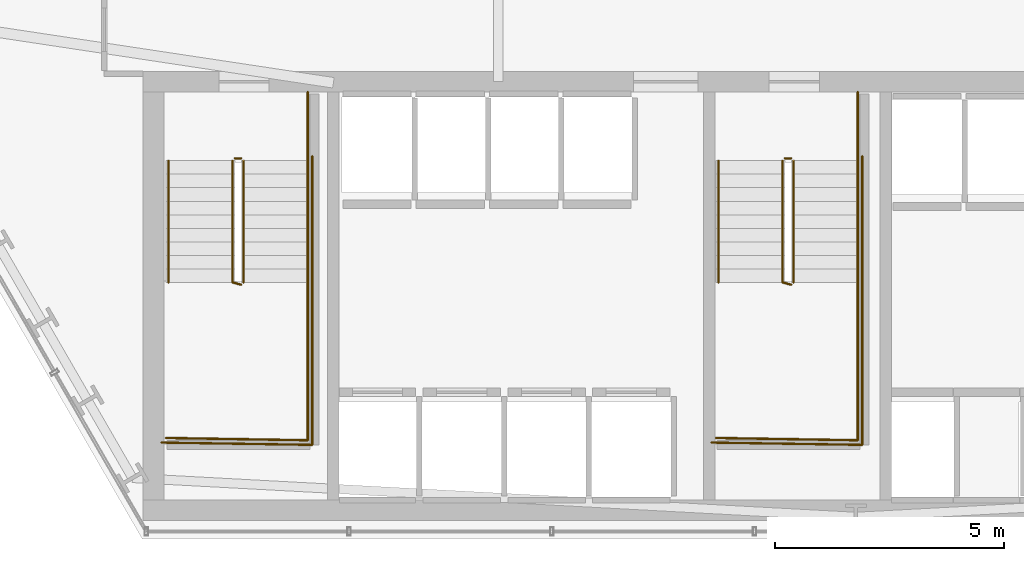
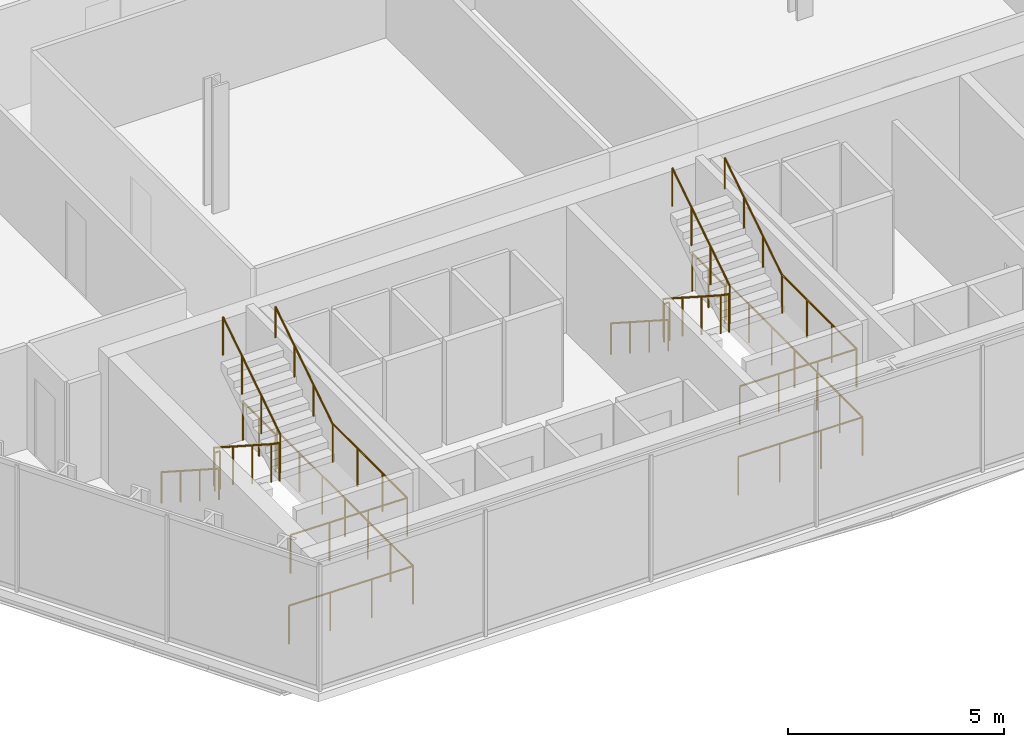
# One storey, part 30 of 32: 16 railings.
"""IFC4 building model written with IfcOpenShell, lengths in metres."""

from ifc_helpers import new_model, si_unit, direction, frame, origin, origin_2d, place, context, subcontext, project, spatial, circle, extrude, material, layer, layer_set, type_object, element, save


model = new_model("IFC4")

# Units and contexts
model_context = context("Model", 3, precision=1e-05, world=origin(), true_north=direction((0.0, 1.0)))
body_context = subcontext(model_context, "Body", "Model", "MODEL_VIEW")
ifc_project = project(units=[si_unit("LENGTHUNIT", "METRE"), si_unit("AREAUNIT", "SQUARE_METRE"), si_unit("VOLUMEUNIT", "CUBIC_METRE"), si_unit("PLANEANGLEUNIT", "RADIAN"), si_unit("MASSUNIT", "GRAM", prefix="KILO")], contexts=[model_context])

# Site, building, storey
site_placement = place(None, origin())
site = spatial("IfcSite", under=ifc_project, at=site_placement, CompositionType="ELEMENT")
building_placement = place(site_placement, origin())
building = spatial("IfcBuilding", under=site, at=building_placement, Name="Ndaravel Arena Tower", CompositionType="ELEMENT")
storey_placement = place(building_placement, frame((0.0, 0.0, 51.199951171875)))
storey = spatial("IfcBuildingStorey", under=building, at=storey_placement, Name="L10", CompositionType="ELEMENT", Elevation=51.199951171875)

# Railings
ifc_material_1 = material(Name="Steel S355", Category="steel")
ifc_layer_1 = layer(ifc_material_1, 0.06005859375)
ifc_layer_set_1 = layer_set([ifc_layer_1], Name="Steel S355")
railing_type_1 = type_object("IfcRailingType", Name="RAIL-STAIR-GD1100", PredefinedType="GUARDRAIL", material=ifc_layer_set_1)
railing_1_placement = place(storey_placement, frame((28.39990234375, 13.25, 0.18994140625)))
element("IfcRailing", 1, at=railing_1_placement, inside=storey, type_object=railing_type_1, Name="L10 ST-1 stair guard 1", PredefinedType="GUARDRAIL", context=body_context, shape_type="SweptSolid", body=[
    extrude(circle(Radius=0.02392578125, at=origin_2d()), frame((0.0, 0.0, 1.076171875), z_axis=(0.0, -0.840688348013, 0.541519253134), x_axis=(1.0, 0.0, 0.0)), (0.0, 0.0, 1.0), 3.158203125),
    extrude(circle(Radius=0.02392578125, at=origin_2d()), frame((0.0, -2.655029296875, 2.7861328125), z_axis=(0.967074537263, -0.25449329928, 0.0), x_axis=(0.25449329928, 0.967074537263, 0.0)), (0.0, 0.0, 1.0), 0.19677734375),
    extrude(circle(Radius=0.02099609375, at=origin_2d()), origin(), (0.0, 0.0, 1.0), 1.052001953125),
    extrude(circle(Radius=0.02099609375, at=origin_2d()), frame((0.0, -0.885009765625, 0.570068359375)), (0.0, 0.0, 1.0), 1.052001953125),
    extrude(circle(Radius=0.02099609375, at=origin_2d()), frame((0.0, -1.77001953125, 1.14013671875)), (0.0, 0.0, 1.0), 1.052001953125),
    extrude(circle(Radius=0.02099609375, at=origin_2d()), frame((0.0, -2.655029296875, 1.710205078125)), (0.0, 0.0, 1.0), 1.052001953125),
    extrude(circle(Radius=0.02099609375, at=origin_2d()), frame((0.190185546875, -2.705078125, 1.710205078125)), (0.0, 0.0, 1.0), 1.052001953125),
])
railing_2_placement = place(storey_placement, frame((30.0400390625, 10.594970703125, 1.900146484375)))
element("IfcRailing", 2, at=railing_2_placement, inside=storey, type_object=railing_type_1, Name="L10 ST-1 stair guard 2", PredefinedType="GUARDRAIL", context=body_context, shape_type="SweptSolid", body=[
    extrude(circle(Radius=0.02392578125, at=origin_2d()), frame((0.0, 0.0, 1.076171875), z_axis=(0.0, -1.0, 0.0), x_axis=(1.0, 0.0, 0.0)), (0.0, 0.0, 1.0), 3.445068359375),
    extrude(circle(Radius=0.02392578125, at=origin_2d()), frame((0.0, -3.445068359375, 1.076171875), z_axis=(-0.999868861343, 0.016194447071, 0.0), x_axis=(-0.016194447071, -0.999868861343, 0.0)), (0.0, 0.0, 1.0), 3.090576171875),
    extrude(circle(Radius=0.02099609375, at=origin_2d()), origin(), (0.0, 0.0, 1.0), 1.052001953125),
    extrude(circle(Radius=0.02099609375, at=origin_2d()), frame((0.0, -1.1484375, 0.0)), (0.0, 0.0, 1.0), 1.052001953125),
    extrude(circle(Radius=0.02099609375, at=origin_2d()), frame((0.0, -2.296630859375, 0.0)), (0.0, 0.0, 1.0), 1.052001953125),
    extrude(circle(Radius=0.02099609375, at=origin_2d()), frame((0.0, -3.445068359375, 0.0)), (0.0, 0.0, 1.0), 1.052001953125),
    extrude(circle(Radius=0.02099609375, at=origin_2d()), frame((-1.030029296875, -3.428466796875, 0.0)), (0.0, 0.0, 1.0), 1.052001953125),
    extrude(circle(Radius=0.02099609375, at=origin_2d()), frame((-2.06005859375, -3.41162109375, 0.0)), (0.0, 0.0, 1.0), 1.052001953125),
    extrude(circle(Radius=0.02099609375, at=origin_2d()), frame((-3.090087890625, -3.39501953125, 0.0)), (0.0, 0.0, 1.0), 1.052001953125),
])
railing_3_placement = place(storey_placement, frame((28.639892578125, 10.594970703125, 2.090087890625)))
element("IfcRailing", 3, at=railing_3_placement, inside=storey, type_object=railing_type_1, Name="L10 ST-1 stair guard 3", PredefinedType="GUARDRAIL", context=body_context, shape_type="SweptSolid", body=[
    extrude(circle(Radius=0.02392578125, at=origin_2d()), frame((0.0, 0.0, 1.076171875), z_axis=(0.0, 0.840723540582, 0.54146461409), x_axis=(-1.0, 0.0, 0.0)), (0.0, 0.0, 1.0), 3.157958984375),
    extrude(circle(Radius=0.02099609375, at=origin_2d()), origin(), (0.0, 0.0, 1.0), 1.052001953125),
    extrude(circle(Radius=0.02099609375, at=origin_2d()), frame((0.0, 0.885009765625, 0.570068359375)), (0.0, 0.0, 1.0), 1.052001953125),
    extrude(circle(Radius=0.02099609375, at=origin_2d()), frame((0.0, 1.77001953125, 1.139892578125)), (0.0, 0.0, 1.0), 1.052001953125),
    extrude(circle(Radius=0.02099609375, at=origin_2d()), frame((0.0, 2.655029296875, 1.7099609375)), (0.0, 0.0, 1.0), 1.052001953125),
])
railing_4_placement = place(storey_placement, frame((28.449951171875, 13.300048828125, 0.0)))
element("IfcRailing", 4, at=railing_4_placement, inside=storey, type_object=railing_type_1, Name="L10 ST-1 stair guard 4", PredefinedType="GUARDRAIL", context=body_context, shape_type="SweptSolid", body=[
    extrude(circle(Radius=0.02392578125, at=origin_2d()), frame((0.0, 0.0, 1.076171875), z_axis=(1.0, 0.0, 0.0), x_axis=(0.0, 1.0, 0.0)), (0.0, 0.0, 1.0), 0.14013671875),
    extrude(circle(Radius=0.02099609375, at=origin_2d()), origin(), (0.0, 0.0, 1.0), 1.052001953125),
    extrude(circle(Radius=0.02099609375, at=origin_2d()), frame((0.14013671875, 0.0, 0.0)), (0.0, 0.0, 1.0), 1.052001953125),
])
railing_5_placement = place(storey_placement, frame((30.0400390625, 14.75, 0.0)))
element("IfcRailing", 5, at=railing_5_placement, inside=storey, type_object=railing_type_1, Name="L10 ST-1 stair guard 5", PredefinedType="GUARDRAIL", context=body_context, shape_type="SweptSolid", body=[
    extrude(circle(Radius=0.02392578125, at=origin_2d()), frame((0.0, 0.0, 1.076171875), z_axis=(0.0, -1.0, 0.0), x_axis=(1.0, 0.0, 0.0)), (0.0, 0.0, 1.0), 1.5),
    extrude(circle(Radius=0.02099609375, at=origin_2d()), origin(), (0.0, 0.0, 1.0), 1.052001953125),
    extrude(circle(Radius=0.02099609375, at=origin_2d()), frame((0.0, -0.75, 0.0)), (0.0, 0.0, 1.0), 1.052001953125),
    extrude(circle(Radius=0.02099609375, at=origin_2d()), frame((0.0, -1.5, 0.0)), (0.0, 0.0, 1.0), 1.052001953125),
])
railing_6_placement = place(storey_placement, frame((30.139892578125, 13.35009765625, 0.0)))
element("IfcRailing", 6, at=railing_6_placement, inside=storey, type_object=railing_type_1, Name="L10 ST-1 stair guard 6", PredefinedType="GUARDRAIL", context=body_context, shape_type="SweptSolid", body=[
    extrude(circle(Radius=0.02392578125, at=origin_2d()), frame((0.0, 0.0, 1.076171875), z_axis=(0.0, -1.0, 0.0), x_axis=(1.0, 0.0, 0.0)), (0.0, 0.0, 1.0), 6.300048828125),
    extrude(circle(Radius=0.02392578125, at=origin_2d()), frame((0.0, -6.300048828125, 1.076171875), z_axis=(-0.999884296952, 0.015211597839, 0.0), x_axis=(-0.015211597839, -0.999884296952, 0.0)), (0.0, 0.0, 1.0), 3.290283203125),
    extrude(circle(Radius=0.02099609375, at=origin_2d()), origin(), (0.0, 0.0, 1.0), 1.052001953125),
    extrude(circle(Radius=0.02099609375, at=origin_2d()), frame((0.0, -1.050048828125, 0.0)), (0.0, 0.0, 1.0), 1.052001953125),
    extrude(circle(Radius=0.02099609375, at=origin_2d()), frame((0.0, -2.10009765625, 0.0)), (0.0, 0.0, 1.0), 1.052001953125),
    extrude(circle(Radius=0.02099609375, at=origin_2d()), frame((0.0, -3.14990234375, 0.0)), (0.0, 0.0, 1.0), 1.052001953125),
    extrude(circle(Radius=0.02099609375, at=origin_2d()), frame((0.0, -4.199951171875, 0.0)), (0.0, 0.0, 1.0), 1.052001953125),
    extrude(circle(Radius=0.02099609375, at=origin_2d()), frame((0.0, -5.25, 0.0)), (0.0, 0.0, 1.0), 1.052001953125),
    extrude(circle(Radius=0.02099609375, at=origin_2d()), frame((0.0, -6.300048828125, 0.0)), (0.0, 0.0, 1.0), 1.052001953125),
    extrude(circle(Radius=0.02099609375, at=origin_2d()), frame((-1.0966796875, -6.283447265625, 0.0)), (0.0, 0.0, 1.0), 1.052001953125),
    extrude(circle(Radius=0.02099609375, at=origin_2d()), frame((-2.193115234375, -6.2666015625, 0.0)), (0.0, 0.0, 1.0), 1.052001953125),
    extrude(circle(Radius=0.02099609375, at=origin_2d()), frame((-3.289794921875, -6.25, 0.0)), (0.0, 0.0, 1.0), 1.052001953125),
])
railing_7_placement = place(storey_placement, frame((40.39990234375, 13.25, 0.18994140625)))
element("IfcRailing", 7, at=railing_7_placement, inside=storey, type_object=railing_type_1, Name="L10 ST-2 stair guard 1", PredefinedType="GUARDRAIL", context=body_context, shape_type="SweptSolid", body=[
    extrude(circle(Radius=0.02392578125, at=origin_2d()), frame((0.0, 0.0, 1.076171875), z_axis=(0.0, -0.840688348013, 0.541519253134), x_axis=(1.0, 0.0, 0.0)), (0.0, 0.0, 1.0), 3.158203125),
    extrude(circle(Radius=0.02392578125, at=origin_2d()), frame((0.0, -2.655029296875, 2.7861328125), z_axis=(0.967074537263, -0.25449329928, 0.0), x_axis=(0.25449329928, 0.967074537263, 0.0)), (0.0, 0.0, 1.0), 0.19677734375),
    extrude(circle(Radius=0.02099609375, at=origin_2d()), origin(), (0.0, 0.0, 1.0), 1.052001953125),
    extrude(circle(Radius=0.02099609375, at=origin_2d()), frame((0.0, -0.885009765625, 0.570068359375)), (0.0, 0.0, 1.0), 1.052001953125),
    extrude(circle(Radius=0.02099609375, at=origin_2d()), frame((0.0, -1.77001953125, 1.14013671875)), (0.0, 0.0, 1.0), 1.052001953125),
    extrude(circle(Radius=0.02099609375, at=origin_2d()), frame((0.0, -2.655029296875, 1.710205078125)), (0.0, 0.0, 1.0), 1.052001953125),
    extrude(circle(Radius=0.02099609375, at=origin_2d()), frame((0.190185546875, -2.705078125, 1.710205078125)), (0.0, 0.0, 1.0), 1.052001953125),
])
railing_8_placement = place(storey_placement, frame((42.0400390625, 10.594970703125, 1.900146484375)))
element("IfcRailing", 8, at=railing_8_placement, inside=storey, type_object=railing_type_1, Name="L10 ST-2 stair guard 2", PredefinedType="GUARDRAIL", context=body_context, shape_type="SweptSolid", body=[
    extrude(circle(Radius=0.02392578125, at=origin_2d()), frame((0.0, 0.0, 1.076171875), z_axis=(0.0, -1.0, 0.0), x_axis=(1.0, 0.0, 0.0)), (0.0, 0.0, 1.0), 3.445068359375),
    extrude(circle(Radius=0.02392578125, at=origin_2d()), frame((0.0, -3.445068359375, 1.076171875), z_axis=(-0.999868861343, 0.016194447071, 0.0), x_axis=(-0.016194447071, -0.999868861343, 0.0)), (0.0, 0.0, 1.0), 3.090576171875),
    extrude(circle(Radius=0.02099609375, at=origin_2d()), origin(), (0.0, 0.0, 1.0), 1.052001953125),
    extrude(circle(Radius=0.02099609375, at=origin_2d()), frame((0.0, -1.1484375, 0.0)), (0.0, 0.0, 1.0), 1.052001953125),
    extrude(circle(Radius=0.02099609375, at=origin_2d()), frame((0.0, -2.296630859375, 0.0)), (0.0, 0.0, 1.0), 1.052001953125),
    extrude(circle(Radius=0.02099609375, at=origin_2d()), frame((0.0, -3.445068359375, 0.0)), (0.0, 0.0, 1.0), 1.052001953125),
    extrude(circle(Radius=0.02099609375, at=origin_2d()), frame((-1.030029296875, -3.428466796875, 0.0)), (0.0, 0.0, 1.0), 1.052001953125),
    extrude(circle(Radius=0.02099609375, at=origin_2d()), frame((-2.06005859375, -3.41162109375, 0.0)), (0.0, 0.0, 1.0), 1.052001953125),
    extrude(circle(Radius=0.02099609375, at=origin_2d()), frame((-3.090087890625, -3.39501953125, 0.0)), (0.0, 0.0, 1.0), 1.052001953125),
])
railing_9_placement = place(storey_placement, frame((40.639892578125, 10.594970703125, 2.090087890625)))
element("IfcRailing", 9, at=railing_9_placement, inside=storey, type_object=railing_type_1, Name="L10 ST-2 stair guard 3", PredefinedType="GUARDRAIL", context=body_context, shape_type="SweptSolid", body=[
    extrude(circle(Radius=0.02392578125, at=origin_2d()), frame((0.0, 0.0, 1.076171875), z_axis=(0.0, 0.840723540582, 0.54146461409), x_axis=(-1.0, 0.0, 0.0)), (0.0, 0.0, 1.0), 3.157958984375),
    extrude(circle(Radius=0.02099609375, at=origin_2d()), origin(), (0.0, 0.0, 1.0), 1.052001953125),
    extrude(circle(Radius=0.02099609375, at=origin_2d()), frame((0.0, 0.885009765625, 0.570068359375)), (0.0, 0.0, 1.0), 1.052001953125),
    extrude(circle(Radius=0.02099609375, at=origin_2d()), frame((0.0, 1.77001953125, 1.139892578125)), (0.0, 0.0, 1.0), 1.052001953125),
    extrude(circle(Radius=0.02099609375, at=origin_2d()), frame((0.0, 2.655029296875, 1.7099609375)), (0.0, 0.0, 1.0), 1.052001953125),
])
railing_10_placement = place(storey_placement, frame((40.449951171875, 13.300048828125, 0.0)))
element("IfcRailing", 10, at=railing_10_placement, inside=storey, type_object=railing_type_1, Name="L10 ST-2 stair guard 4", PredefinedType="GUARDRAIL", context=body_context, shape_type="SweptSolid", body=[
    extrude(circle(Radius=0.02392578125, at=origin_2d()), frame((0.0, 0.0, 1.076171875), z_axis=(1.0, 0.0, 0.0), x_axis=(0.0, 1.0, 0.0)), (0.0, 0.0, 1.0), 0.14013671875),
    extrude(circle(Radius=0.02099609375, at=origin_2d()), origin(), (0.0, 0.0, 1.0), 1.052001953125),
    extrude(circle(Radius=0.02099609375, at=origin_2d()), frame((0.14013671875, 0.0, 0.0)), (0.0, 0.0, 1.0), 1.052001953125),
])
railing_11_placement = place(storey_placement, frame((42.0400390625, 14.75, 0.0)))
element("IfcRailing", 11, at=railing_11_placement, inside=storey, type_object=railing_type_1, Name="L10 ST-2 stair guard 5", PredefinedType="GUARDRAIL", context=body_context, shape_type="SweptSolid", body=[
    extrude(circle(Radius=0.02392578125, at=origin_2d()), frame((0.0, 0.0, 1.076171875), z_axis=(0.0, -1.0, 0.0), x_axis=(1.0, 0.0, 0.0)), (0.0, 0.0, 1.0), 1.5),
    extrude(circle(Radius=0.02099609375, at=origin_2d()), origin(), (0.0, 0.0, 1.0), 1.052001953125),
    extrude(circle(Radius=0.02099609375, at=origin_2d()), frame((0.0, -0.75, 0.0)), (0.0, 0.0, 1.0), 1.052001953125),
    extrude(circle(Radius=0.02099609375, at=origin_2d()), frame((0.0, -1.5, 0.0)), (0.0, 0.0, 1.0), 1.052001953125),
])
railing_12_placement = place(storey_placement, frame((42.139892578125, 13.35009765625, 0.0)))
element("IfcRailing", 12, at=railing_12_placement, inside=storey, type_object=railing_type_1, Name="L10 ST-2 stair guard 6", PredefinedType="GUARDRAIL", context=body_context, shape_type="SweptSolid", body=[
    extrude(circle(Radius=0.02392578125, at=origin_2d()), frame((0.0, 0.0, 1.076171875), z_axis=(0.0, -1.0, 0.0), x_axis=(1.0, 0.0, 0.0)), (0.0, 0.0, 1.0), 6.300048828125),
    extrude(circle(Radius=0.02392578125, at=origin_2d()), frame((0.0, -6.300048828125, 1.076171875), z_axis=(-0.999884296952, 0.015211597839, 0.0), x_axis=(-0.015211597839, -0.999884296952, 0.0)), (0.0, 0.0, 1.0), 3.290283203125),
    extrude(circle(Radius=0.02099609375, at=origin_2d()), origin(), (0.0, 0.0, 1.0), 1.052001953125),
    extrude(circle(Radius=0.02099609375, at=origin_2d()), frame((0.0, -1.050048828125, 0.0)), (0.0, 0.0, 1.0), 1.052001953125),
    extrude(circle(Radius=0.02099609375, at=origin_2d()), frame((0.0, -2.10009765625, 0.0)), (0.0, 0.0, 1.0), 1.052001953125),
    extrude(circle(Radius=0.02099609375, at=origin_2d()), frame((0.0, -3.14990234375, 0.0)), (0.0, 0.0, 1.0), 1.052001953125),
    extrude(circle(Radius=0.02099609375, at=origin_2d()), frame((0.0, -4.199951171875, 0.0)), (0.0, 0.0, 1.0), 1.052001953125),
    extrude(circle(Radius=0.02099609375, at=origin_2d()), frame((0.0, -5.25, 0.0)), (0.0, 0.0, 1.0), 1.052001953125),
    extrude(circle(Radius=0.02099609375, at=origin_2d()), frame((0.0, -6.300048828125, 0.0)), (0.0, 0.0, 1.0), 1.052001953125),
    extrude(circle(Radius=0.02099609375, at=origin_2d()), frame((-1.0966796875, -6.283447265625, 0.0)), (0.0, 0.0, 1.0), 1.052001953125),
    extrude(circle(Radius=0.02099609375, at=origin_2d()), frame((-2.193115234375, -6.2666015625, 0.0)), (0.0, 0.0, 1.0), 1.052001953125),
    extrude(circle(Radius=0.02099609375, at=origin_2d()), frame((-3.289794921875, -6.25, 0.0)), (0.0, 0.0, 1.0), 1.052001953125),
])
ifc_material_2 = material(Name="Steel S355", Category="steel")
ifc_layer_2 = layer(ifc_material_2, 0.050048828125)
ifc_layer_set_2 = layer_set([ifc_layer_2], Name="Steel S355")
railing_type_2 = type_object("IfcRailingType", Name="RAIL-STAIR-HR920", PredefinedType="HANDRAIL", material=ifc_layer_set_2)
railing_13_placement = place(storey_placement, frame((27.0, 13.25, 0.18994140625)))
element("IfcRailing", 13, at=railing_13_placement, inside=storey, type_object=railing_type_2, Name="L10 ST-1 stair handrail 1", PredefinedType="HANDRAIL", context=body_context, shape_type="SweptSolid", body=[
    extrude(circle(Radius=0.02392578125, at=origin_2d()), frame((0.0, 0.0, 0.8759765625), z_axis=(0.0, -0.840688348013, 0.541519253134), x_axis=(1.0, 0.0, 0.0)), (0.0, 0.0, 1.0), 3.158203125),
    extrude(circle(Radius=0.02099609375, at=origin_2d()), origin(), (0.0, 0.0, 1.0), 0.851806640625),
    extrude(circle(Radius=0.02099609375, at=origin_2d()), frame((0.0, -0.885009765625, 0.570068359375)), (0.0, 0.0, 1.0), 0.851806640625),
    extrude(circle(Radius=0.02099609375, at=origin_2d()), frame((0.0, -1.77001953125, 1.14013671875)), (0.0, 0.0, 1.0), 0.851806640625),
    extrude(circle(Radius=0.02099609375, at=origin_2d()), frame((0.0, -2.655029296875, 1.710205078125)), (0.0, 0.0, 1.0), 0.851806640625),
])
railing_14_placement = place(storey_placement, frame((30.0400390625, 10.594970703125, 2.090087890625)))
element("IfcRailing", 14, at=railing_14_placement, inside=storey, type_object=railing_type_2, Name="L10 ST-1 stair handrail 2", PredefinedType="HANDRAIL", context=body_context, shape_type="SweptSolid", body=[
    extrude(circle(Radius=0.02392578125, at=origin_2d()), frame((0.0, 0.0, 0.8759765625), z_axis=(0.0, 0.840723540582, 0.54146461409), x_axis=(-1.0, 0.0, 0.0)), (0.0, 0.0, 1.0), 3.157958984375),
    extrude(circle(Radius=0.02099609375, at=origin_2d()), origin(), (0.0, 0.0, 1.0), 0.851806640625),
    extrude(circle(Radius=0.02099609375, at=origin_2d()), frame((0.0, 0.885009765625, 0.570068359375)), (0.0, 0.0, 1.0), 0.851806640625),
    extrude(circle(Radius=0.02099609375, at=origin_2d()), frame((0.0, 1.77001953125, 1.139892578125)), (0.0, 0.0, 1.0), 0.851806640625),
    extrude(circle(Radius=0.02099609375, at=origin_2d()), frame((0.0, 2.655029296875, 1.7099609375)), (0.0, 0.0, 1.0), 0.851806640625),
])
railing_15_placement = place(storey_placement, frame((39.0, 13.25, 0.18994140625)))
element("IfcRailing", 15, at=railing_15_placement, inside=storey, type_object=railing_type_2, Name="L10 ST-2 stair handrail 1", PredefinedType="HANDRAIL", context=body_context, shape_type="SweptSolid", body=[
    extrude(circle(Radius=0.02392578125, at=origin_2d()), frame((0.0, 0.0, 0.8759765625), z_axis=(0.0, -0.840688348013, 0.541519253134), x_axis=(1.0, 0.0, 0.0)), (0.0, 0.0, 1.0), 3.158203125),
    extrude(circle(Radius=0.02099609375, at=origin_2d()), origin(), (0.0, 0.0, 1.0), 0.851806640625),
    extrude(circle(Radius=0.02099609375, at=origin_2d()), frame((0.0, -0.885009765625, 0.570068359375)), (0.0, 0.0, 1.0), 0.851806640625),
    extrude(circle(Radius=0.02099609375, at=origin_2d()), frame((0.0, -1.77001953125, 1.14013671875)), (0.0, 0.0, 1.0), 0.851806640625),
    extrude(circle(Radius=0.02099609375, at=origin_2d()), frame((0.0, -2.655029296875, 1.710205078125)), (0.0, 0.0, 1.0), 0.851806640625),
])
railing_16_placement = place(storey_placement, frame((42.0400390625, 10.594970703125, 2.090087890625)))
element("IfcRailing", 16, at=railing_16_placement, inside=storey, type_object=railing_type_2, Name="L10 ST-2 stair handrail 2", PredefinedType="HANDRAIL", context=body_context, shape_type="SweptSolid", body=[
    extrude(circle(Radius=0.02392578125, at=origin_2d()), frame((0.0, 0.0, 0.8759765625), z_axis=(0.0, 0.840723540582, 0.54146461409), x_axis=(-1.0, 0.0, 0.0)), (0.0, 0.0, 1.0), 3.157958984375),
    extrude(circle(Radius=0.02099609375, at=origin_2d()), origin(), (0.0, 0.0, 1.0), 0.851806640625),
    extrude(circle(Radius=0.02099609375, at=origin_2d()), frame((0.0, 0.885009765625, 0.570068359375)), (0.0, 0.0, 1.0), 0.851806640625),
    extrude(circle(Radius=0.02099609375, at=origin_2d()), frame((0.0, 1.77001953125, 1.139892578125)), (0.0, 0.0, 1.0), 0.851806640625),
    extrude(circle(Radius=0.02099609375, at=origin_2d()), frame((0.0, 2.655029296875, 1.7099609375)), (0.0, 0.0, 1.0), 0.851806640625),
])

save(model, "model.ifc")
